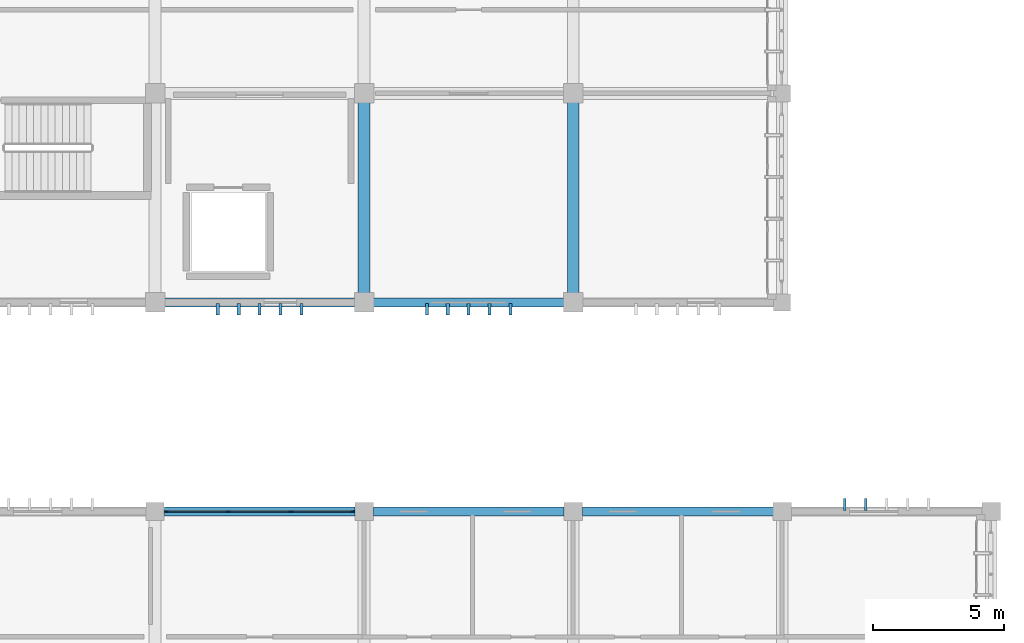
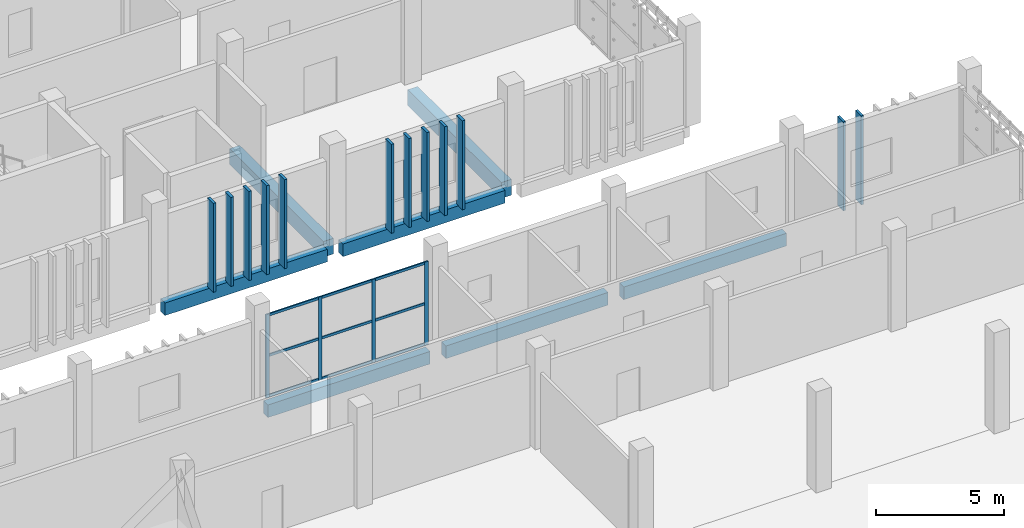
# One storey, part 60 of 106: 25 members, 7 beams, 1 element without a shape of its own.
"""IFC4 building model written with IfcOpenShell, lengths in metres."""

from ifc_helpers import new_model, si_unit, direction, frame, origin, origin_2d, place, context, subcontext, project, spatial, rectangle, extrude, material, layer, layer_set, material_profile, profile_set, type_object, element, aggregate, save


model = new_model("IFC4")

# Units and contexts
model_context = context("Model", 3, precision=1e-05, world=origin(), true_north=direction((0.0, 1.0)))
body_context = subcontext(model_context, "Body", "Model", "MODEL_VIEW")
ifc_project = project(units=[si_unit("LENGTHUNIT", "METRE"), si_unit("AREAUNIT", "SQUARE_METRE"), si_unit("VOLUMEUNIT", "CUBIC_METRE"), si_unit("PLANEANGLEUNIT", "RADIAN"), si_unit("MASSUNIT", "GRAM", prefix="KILO")], contexts=[model_context])

# Site, building, storey
site_placement = place(None, origin())
site = spatial("IfcSite", under=ifc_project, at=site_placement, CompositionType="ELEMENT")
building_placement = place(site_placement, origin())
building = spatial("IfcBuilding", under=site, at=building_placement, Name="Jelvoka-Kovrelna Polytechnic", CompositionType="ELEMENT")
storey_placement = place(building_placement, frame((0.0, 0.0, 4.800048828125)))
storey = spatial("IfcBuildingStorey", under=building, at=storey_placement, Name="L02", CompositionType="ELEMENT", Elevation=4.800048828125)

# Beams
ifc_material_1 = material(Name="Concrete C40/50", Category="concrete")
ifc_material_profile_1 = material_profile(ifc_material_1, rectangle(XDim=0.449951171875, YDim=0.75, at=origin_2d()), Name="RC 450x750")
ifc_profile_set_1 = profile_set([ifc_material_profile_1], Name="Concrete C40/50")
beam_type_1 = type_object("IfcBeamType", Name="Beam_RC_450x750", PredefinedType="BEAM", material=ifc_profile_set_1)
for number, where, z_axis, x_axis, name in (
    (1, (176.0, 56.35498046875, -0.64013671875), (0.0, 1.0, 0.0), (-1.0, 0.0, 0.0), "L02 beam 0833"),
    (2, (184.0, 56.35498046875, -0.64013671875), (0.0, 1.0, 0.0), (-1.0, 0.0, 0.0), "L02 beam 0835"),
):
    element("IfcBeam", number, at=place(storey_placement, frame(where, z_axis=z_axis, x_axis=x_axis)), inside=storey, type_object=beam_type_1, Name=name, PredefinedType="BEAM", context=body_context, shape_type="SweptSolid", body=[
        extrude(rectangle(XDim=0.449951171875, YDim=0.75, at=origin_2d()), origin(), (0.0, 0.0, 1.0), 7.2900390625),
    ])

# Members
ifc_material_2 = material(Name="Precast concrete C40/50", Category="concrete")
ifc_material_profile_2 = material_profile(ifc_material_2, rectangle(XDim=0.10009765625, YDim=0.449951171875, at=origin_2d()), Name="PC 100x450")
ifc_profile_set_2 = profile_set([ifc_material_profile_2], Name="Precast concrete C40/50")
member_type_1 = type_object("IfcMemberType", Name="Louvre_Fin_100x450", PredefinedType="USERDEFINED", material=ifc_profile_set_2)
for number, where, z_axis, x_axis, name in (
    (3, (194.39990234375, 48.264892578125, -0.27001953125), (0.0, 0.0, 1.0), (1.0, 0.0, 0.0), "L02 B2E north vertical solar louvre fin 0931"),
    (4, (195.199951171875, 48.264892578125, -0.27001953125), (0.0, 0.0, 1.0), (1.0, 0.0, 0.0), "L02 B2E north vertical solar louvre fin 0932"),
):
    element("IfcMember", number, at=place(storey_placement, frame(where, z_axis=z_axis, x_axis=x_axis)), inside=storey, type_object=member_type_1, Name=name, ObjectType="SUNSHADE", PredefinedType="USERDEFINED", context=body_context, shape_type="SweptSolid", body=[
        extrude(rectangle(XDim=0.10009765625, YDim=0.449951171875, at=origin_2d()), origin(), (0.0, 0.0, 1.0), 4.22998046875),
    ])
ifc_material_3 = material(Name="Precast concrete C40/50", Category="concrete")
ifc_material_profile_3 = material_profile(ifc_material_3, rectangle(XDim=0.1201171875, YDim=0.449951171875, at=origin_2d()), Name="PC 120x450")
ifc_profile_set_3 = profile_set([ifc_material_profile_3], Name="Precast concrete C40/50")
member_type_2 = type_object("IfcMemberType", Name="Louvre_Fin_120x450", PredefinedType="USERDEFINED", material=ifc_profile_set_3)
for number, where, z_axis, x_axis, name in (
    (5, (170.39990234375, 55.735107421875, -0.27001953125), (0.0, 0.0, 1.0), (1.0, 0.0, 0.0), "L02 B3 south vertical solar louvre fin 1431"),
    (6, (171.199951171875, 55.735107421875, -0.27001953125), (0.0, 0.0, 1.0), (1.0, 0.0, 0.0), "L02 B3 south vertical solar louvre fin 1432"),
    (7, (172.0, 55.735107421875, -0.27001953125), (0.0, 0.0, 1.0), (1.0, 0.0, 0.0), "L02 B3 south vertical solar louvre fin 1433"),
    (8, (172.800048828125, 55.735107421875, -0.27001953125), (0.0, 0.0, 1.0), (1.0, 0.0, 0.0), "L02 B3 south vertical solar louvre fin 1434"),
    (9, (173.60009765625, 55.735107421875, -0.27001953125), (0.0, 0.0, 1.0), (1.0, 0.0, 0.0), "L02 B3 south vertical solar louvre fin 1435"),
    (10, (178.39990234375, 55.735107421875, -0.27001953125), (0.0, 0.0, 1.0), (1.0, 0.0, 0.0), "L02 B3 south vertical solar louvre fin 1441"),
    (11, (179.199951171875, 55.735107421875, -0.27001953125), (0.0, 0.0, 1.0), (1.0, 0.0, 0.0), "L02 B3 south vertical solar louvre fin 1442"),
    (12, (180.0, 55.735107421875, -0.27001953125), (0.0, 0.0, 1.0), (1.0, 0.0, 0.0), "L02 B3 south vertical solar louvre fin 1443"),
    (13, (180.800048828125, 55.735107421875, -0.27001953125), (0.0, 0.0, 1.0), (1.0, 0.0, 0.0), "L02 B3 south vertical solar louvre fin 1444"),
    (14, (181.60009765625, 55.735107421875, -0.27001953125), (0.0, 0.0, 1.0), (1.0, 0.0, 0.0), "L02 B3 south vertical solar louvre fin 1445"),
):
    element("IfcMember", number, at=place(storey_placement, frame(where, z_axis=z_axis, x_axis=x_axis)), inside=storey, type_object=member_type_2, Name=name, ObjectType="SUNSHADE", PredefinedType="USERDEFINED", context=body_context, shape_type="SweptSolid", body=[
        extrude(rectangle(XDim=0.1201171875, YDim=0.449951171875, at=origin_2d()), origin(), (0.0, 0.0, 1.0), 4.22998046875),
    ])

# Curtain wall, members
ifc_material_4 = material(Name="Anodised aluminium 6063-T6", Category="aluminium")
ifc_layer = layer(ifc_material_4, 0.159912109375)
ifc_layer_set = layer_set([ifc_layer], Name="Anodised aluminium 6063-T6")
curtain_wall_type = type_object("IfcCurtainWallType", Name="CW_Recessed_A", PredefinedType="NOTDEFINED", material=ifc_layer_set)
curtain_wall_placement = place(storey_placement, origin())
curtain_wall = element("IfcCurtainWall", 15, at=curtain_wall_placement, inside=storey, type_object=curtain_wall_type, Name="L02 glazed curtain wall 049", PredefinedType="NOTDEFINED")
ifc_material_5 = material(Name="Anodised aluminium 6063-T6", Category="aluminium")
ifc_material_profile_4 = material_profile(ifc_material_5, rectangle(XDim=0.06005859375, YDim=0.159912109375, at=origin_2d()), Name="ALU 60x160")
ifc_profile_set_4 = profile_set([ifc_material_profile_4], Name="Anodised aluminium 6063-T6")
member_type_3 = type_object("IfcMemberType", Name="Mullion_M-01", PredefinedType="MULLION", material=ifc_profile_set_4)
member_1_placement = place(storey_placement, frame((168.429931640625, 48.0, -0.02490234375), z_axis=(0.0, 0.0, 1.0), x_axis=(0.0, 1.0, 0.0)))
member_1 = element("IfcMember", 16, at=member_1_placement, type_object=member_type_3, Name="CW-01 mullion 1", PredefinedType="MULLION", context=body_context, shape_type="SweptSolid", body=[
    extrude(rectangle(XDim=0.06005859375, YDim=0.159912109375, at=origin_2d()), origin(), (0.0, 0.0, 1.0), 3.9599609375),
])
member_2_placement = place(storey_placement, frame((170.800048828125, 48.0, -0.02490234375), z_axis=(0.0, 0.0, 1.0), x_axis=(0.0, 1.0, 0.0)))
member_2 = element("IfcMember", 17, at=member_2_placement, type_object=member_type_3, Name="CW-01 mullion 2", PredefinedType="MULLION", context=body_context, shape_type="SweptSolid", body=[
    extrude(rectangle(XDim=0.06005859375, YDim=0.159912109375, at=origin_2d()), origin(), (0.0, 0.0, 1.0), 3.9599609375),
])
member_3_placement = place(storey_placement, frame((173.199951171875, 48.0, -0.02490234375), z_axis=(0.0, 0.0, 1.0), x_axis=(0.0, 1.0, 0.0)))
member_3 = element("IfcMember", 18, at=member_3_placement, type_object=member_type_3, Name="CW-01 mullion 3", PredefinedType="MULLION", context=body_context, shape_type="SweptSolid", body=[
    extrude(rectangle(XDim=0.06005859375, YDim=0.159912109375, at=origin_2d()), origin(), (0.0, 0.0, 1.0), 3.9599609375),
])
member_4_placement = place(storey_placement, frame((175.570068359375, 48.0, -0.02490234375), z_axis=(0.0, 0.0, 1.0), x_axis=(0.0, 1.0, 0.0)))
member_4 = element("IfcMember", 19, at=member_4_placement, type_object=member_type_3, Name="CW-01 mullion 4", PredefinedType="MULLION", context=body_context, shape_type="SweptSolid", body=[
    extrude(rectangle(XDim=0.06005859375, YDim=0.159912109375, at=origin_2d()), origin(), (0.0, 0.0, 1.0), 3.9599609375),
])

# Beams
ifc_material_6 = material(Name="Concrete C40/50", Category="concrete")
ifc_material_profile_5 = material_profile(ifc_material_6, rectangle(XDim=0.35009765625, YDim=0.60009765625, at=origin_2d()), Name="RC 350x600")
ifc_profile_set_5 = profile_set([ifc_material_profile_5], Name="Concrete C40/50")
beam_type_2 = type_object("IfcBeamType", Name="Spandrel_RC_350x600", PredefinedType="SPANDREL", material=ifc_profile_set_5)
for number, where, z_axis, x_axis, name in (
    (20, (168.35498046875, 48.0, -0.56494140625), (1.0, 0.0, 0.0), (0.0, 1.0, 0.0), "L02 beam 0731"),
    (21, (176.35498046875, 48.0, -0.56494140625), (1.0, 0.0, 0.0), (0.0, 1.0, 0.0), "L02 beam 0732"),
):
    element("IfcBeam", number, at=place(storey_placement, frame(where, z_axis=z_axis, x_axis=x_axis)), inside=storey, type_object=beam_type_2, Name=name, PredefinedType="SPANDREL", context=body_context, shape_type="SweptSolid", body=[
        extrude(rectangle(XDim=0.35009765625, YDim=0.60009765625, at=origin_2d()), origin(), (0.0, 0.0, 1.0), 7.2900390625),
    ])
beam_placement = place(storey_placement, frame((184.35498046875, 48.0, -0.56494140625), z_axis=(1.0, 0.0, 0.0), x_axis=(0.0, 1.0, 0.0)))
element("IfcBeam", 22, at=beam_placement, inside=storey, type_object=beam_type_2, Name="L02 beam 0733", PredefinedType="SPANDREL", context=body_context, shape_type="SweptSolid", body=[
    extrude(rectangle(XDim=0.35009765625, YDim=0.60009765625, at=origin_2d()), origin(), (0.0, 0.0, 1.0), 7.31494140625),
])
for number, where, z_axis, x_axis, name in (
    (23, (168.35498046875, 56.0, -0.56494140625), (1.0, 0.0, 0.0), (0.0, 1.0, 0.0), "L02 beam 0798"),
    (24, (176.35498046875, 56.0, -0.56494140625), (1.0, 0.0, 0.0), (0.0, 1.0, 0.0), "L02 beam 0799"),
):
    element("IfcBeam", number, at=place(storey_placement, frame(where, z_axis=z_axis, x_axis=x_axis)), inside=storey, type_object=beam_type_2, Name=name, PredefinedType="SPANDREL", context=body_context, shape_type="SweptSolid", body=[
        extrude(rectangle(XDim=0.35009765625, YDim=0.60009765625, at=origin_2d()), origin(), (0.0, 0.0, 1.0), 7.2900390625),
    ])

# Member
ifc_material_7 = material(Name="Anodised aluminium 6063-T6", Category="aluminium")
ifc_material_profile_6 = material_profile(ifc_material_7, rectangle(XDim=0.06005859375, YDim=0.1201171875, at=origin_2d()), Name="ALU 60x120")
ifc_profile_set_6 = profile_set([ifc_material_profile_6], Name="Anodised aluminium 6063-T6")
member_type_4 = type_object("IfcMemberType", Name="Transom_T-01", PredefinedType="USERDEFINED", material=ifc_profile_set_6)
member_5_placement = place(storey_placement, frame((168.4599609375, 48.0, 0.030029296875), z_axis=(1.0, 0.0, 0.0), x_axis=(0.0, 1.0, 0.0)))
member_5 = element("IfcMember", 25, at=member_5_placement, type_object=member_type_4, Name="CW-01 transom 1.1", ObjectType="TRANSOM", PredefinedType="USERDEFINED", context=body_context, shape_type="SweptSolid", body=[
    extrude(rectangle(XDim=0.06005859375, YDim=0.1201171875, at=origin_2d()), origin(), (0.0, 0.0, 1.0), 2.31005859375),
])

member_6_placement = place(storey_placement, frame((168.4599609375, 48.0, 1.954833984375), z_axis=(1.0, 0.0, 0.0), x_axis=(0.0, 1.0, 0.0)))
member_6 = element("IfcMember", 26, at=member_6_placement, type_object=member_type_4, Name="CW-01 transom 1.2", ObjectType="TRANSOM", PredefinedType="USERDEFINED", context=body_context, shape_type="SweptSolid", body=[
    extrude(rectangle(XDim=0.06005859375, YDim=0.1201171875, at=origin_2d()), origin(), (0.0, 0.0, 1.0), 2.31005859375),
])

member_7_placement = place(storey_placement, frame((168.4599609375, 48.0, 3.8798828125), z_axis=(1.0, 0.0, 0.0), x_axis=(0.0, 1.0, 0.0)))
member_7 = element("IfcMember", 27, at=member_7_placement, type_object=member_type_4, Name="CW-01 transom 1.3", ObjectType="TRANSOM", PredefinedType="USERDEFINED", context=body_context, shape_type="SweptSolid", body=[
    extrude(rectangle(XDim=0.06005859375, YDim=0.1201171875, at=origin_2d()), origin(), (0.0, 0.0, 1.0), 2.31005859375),
])

member_8_placement = place(storey_placement, frame((170.830078125, 48.0, 0.030029296875), z_axis=(1.0, 0.0, 0.0), x_axis=(0.0, 1.0, 0.0)))
member_8 = element("IfcMember", 28, at=member_8_placement, type_object=member_type_4, Name="CW-01 transom 2.1", ObjectType="TRANSOM", PredefinedType="USERDEFINED", context=body_context, shape_type="SweptSolid", body=[
    extrude(rectangle(XDim=0.06005859375, YDim=0.1201171875, at=origin_2d()), origin(), (0.0, 0.0, 1.0), 2.33984375),
])

member_9_placement = place(storey_placement, frame((170.830078125, 48.0, 1.954833984375), z_axis=(1.0, 0.0, 0.0), x_axis=(0.0, 1.0, 0.0)))
member_9 = element("IfcMember", 29, at=member_9_placement, type_object=member_type_4, Name="CW-01 transom 2.2", ObjectType="TRANSOM", PredefinedType="USERDEFINED", context=body_context, shape_type="SweptSolid", body=[
    extrude(rectangle(XDim=0.06005859375, YDim=0.1201171875, at=origin_2d()), origin(), (0.0, 0.0, 1.0), 2.33984375),
])

member_10_placement = place(storey_placement, frame((170.830078125, 48.0, 3.8798828125), z_axis=(1.0, 0.0, 0.0), x_axis=(0.0, 1.0, 0.0)))
member_10 = element("IfcMember", 30, at=member_10_placement, type_object=member_type_4, Name="CW-01 transom 2.3", ObjectType="TRANSOM", PredefinedType="USERDEFINED", context=body_context, shape_type="SweptSolid", body=[
    extrude(rectangle(XDim=0.06005859375, YDim=0.1201171875, at=origin_2d()), origin(), (0.0, 0.0, 1.0), 2.33984375),
])

member_11_placement = place(storey_placement, frame((173.22998046875, 48.0, 0.030029296875), z_axis=(1.0, 0.0, 0.0), x_axis=(0.0, 1.0, 0.0)))
member_11 = element("IfcMember", 31, at=member_11_placement, type_object=member_type_4, Name="CW-01 transom 3.1", ObjectType="TRANSOM", PredefinedType="USERDEFINED", context=body_context, shape_type="SweptSolid", body=[
    extrude(rectangle(XDim=0.06005859375, YDim=0.1201171875, at=origin_2d()), origin(), (0.0, 0.0, 1.0), 2.31005859375),
])

member_12_placement = place(storey_placement, frame((173.22998046875, 48.0, 1.954833984375), z_axis=(1.0, 0.0, 0.0), x_axis=(0.0, 1.0, 0.0)))
member_12 = element("IfcMember", 32, at=member_12_placement, type_object=member_type_4, Name="CW-01 transom 3.2", ObjectType="TRANSOM", PredefinedType="USERDEFINED", context=body_context, shape_type="SweptSolid", body=[
    extrude(rectangle(XDim=0.06005859375, YDim=0.1201171875, at=origin_2d()), origin(), (0.0, 0.0, 1.0), 2.31005859375),
])

member_13_placement = place(storey_placement, frame((173.22998046875, 48.0, 3.8798828125), z_axis=(1.0, 0.0, 0.0), x_axis=(0.0, 1.0, 0.0)))
member_13 = element("IfcMember", 33, at=member_13_placement, type_object=member_type_4, Name="CW-01 transom 3.3", ObjectType="TRANSOM", PredefinedType="USERDEFINED", context=body_context, shape_type="SweptSolid", body=[
    extrude(rectangle(XDim=0.06005859375, YDim=0.1201171875, at=origin_2d()), origin(), (0.0, 0.0, 1.0), 2.31005859375),
])

aggregate(curtain_wall, [member_1, member_2, member_3, member_4, member_5, member_6, member_7, member_8, member_9, member_10, member_11, member_12, member_13])

save(model, "model.ifc")
